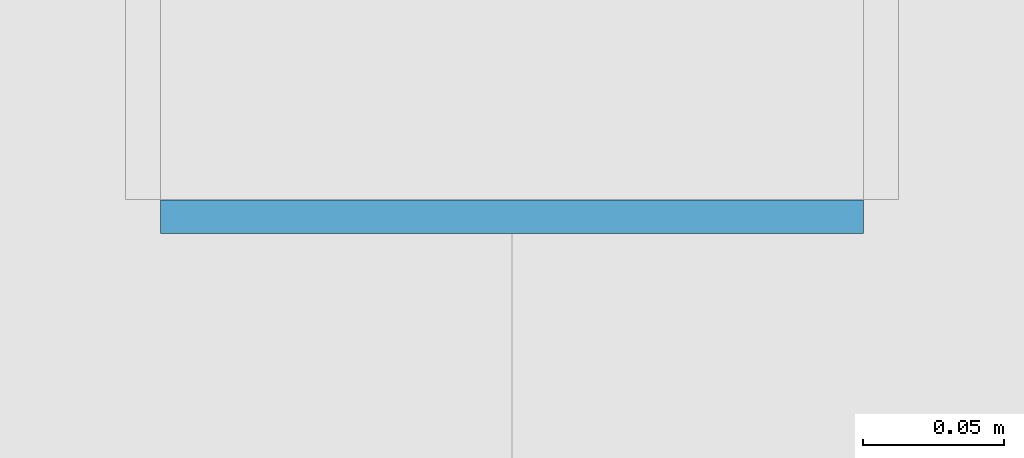
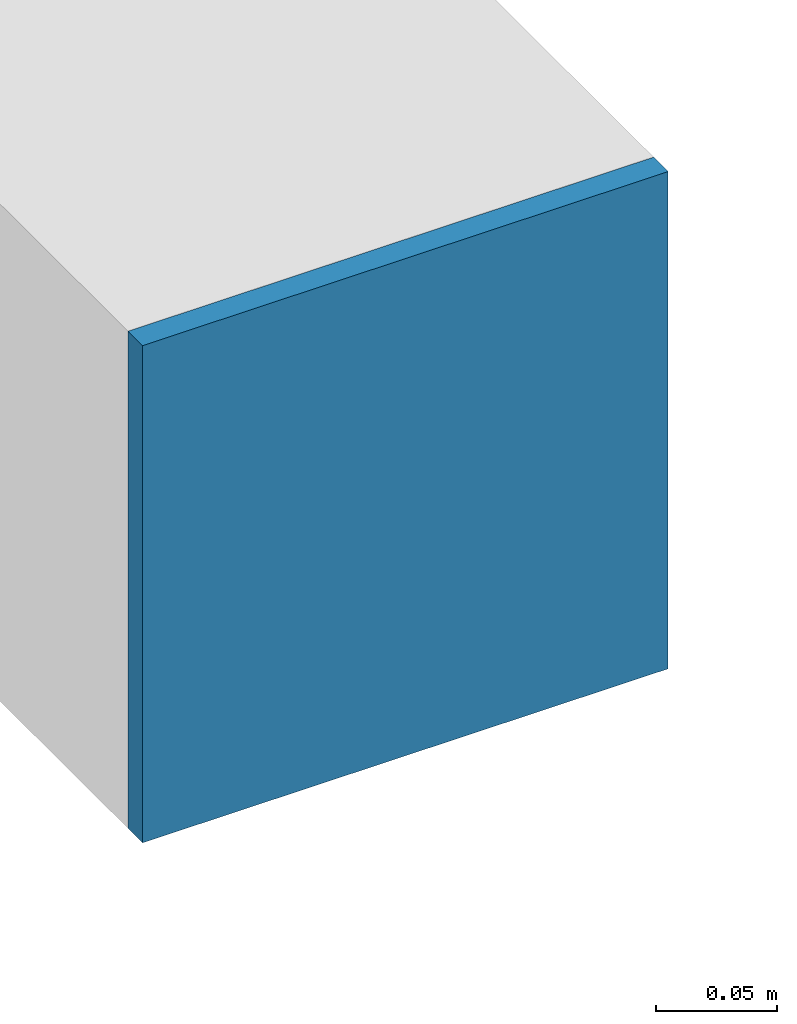
# One storey, part 32 of 45: 1 plate.
"""IFC4 building model written with IfcOpenShell, lengths in metres."""

from ifc_helpers import new_model, si_unit, direction, frame, origin, origin_2d, place, context, subcontext, project, spatial, rectangle, extrude, source, transform, mapped, material, layer, layer_set, type_object, element, save


model = new_model("IFC4")

# Units and contexts
model_context = context("Model", 3, precision=1e-05, world=origin(), true_north=direction((0.0, 1.0)))
body_context = subcontext(model_context, "Body", "Model", "MODEL_VIEW")
ifc_project = project(units=[si_unit("LENGTHUNIT", "METRE"), si_unit("AREAUNIT", "SQUARE_METRE"), si_unit("VOLUMEUNIT", "CUBIC_METRE"), si_unit("PLANEANGLEUNIT", "RADIAN"), si_unit("MASSUNIT", "GRAM", prefix="KILO")], contexts=[model_context])

# Site, building, storey
site_placement = place(None, origin())
site = spatial("IfcSite", under=ifc_project, at=site_placement, CompositionType="ELEMENT")
building_placement = place(site_placement, origin())
building = spatial("IfcBuilding", under=site, at=building_placement, Name="Taldren Reach Tower", CompositionType="ELEMENT")
storey_placement = place(building_placement, frame((0.0, 0.0, 57.75)))
storey = spatial("IfcBuildingStorey", under=building, at=storey_placement, Name="L17", CompositionType="ELEMENT", Elevation=57.75)

# Plate
ifc_material = material(Name="Steel Gr 350 (C350L0)", Category="steel")
ifc_layer = layer(ifc_material, 0.011962890625)
ifc_layer_set = layer_set([ifc_layer], Name="Steel Gr 350 (C350L0)")
plate_type = type_object("IfcPlateType", Name="PL-CAP-250", PredefinedType="SHEET", material=ifc_layer_set)
shared_shape = source(origin(), body_context, "Body", "SweptSolid", [
    extrude(rectangle(XDim=0.25, YDim=0.011962890625, at=origin_2d()), origin(), (0.0, 0.0, 1.0), 0.25),
])
plate_placement = place(storey_placement, frame((29.760009765625, 0.593994140625, 0.094970703125), z_axis=(0.0, 0.0, 1.0), x_axis=(1.0, 0.0, 0.0)))
element("IfcPlate", 1, at=plate_placement, inside=storey, type_object=plate_type, Name="Tie strut end cap plate B1-S3 L17", PredefinedType="SHEET", context=body_context, shape_type="MappedRepresentation", body=[
    mapped(shared_shape, transform((0.0, 0.0, 0.0), scale=1.0)),
])

save(model, "model.ifc")
